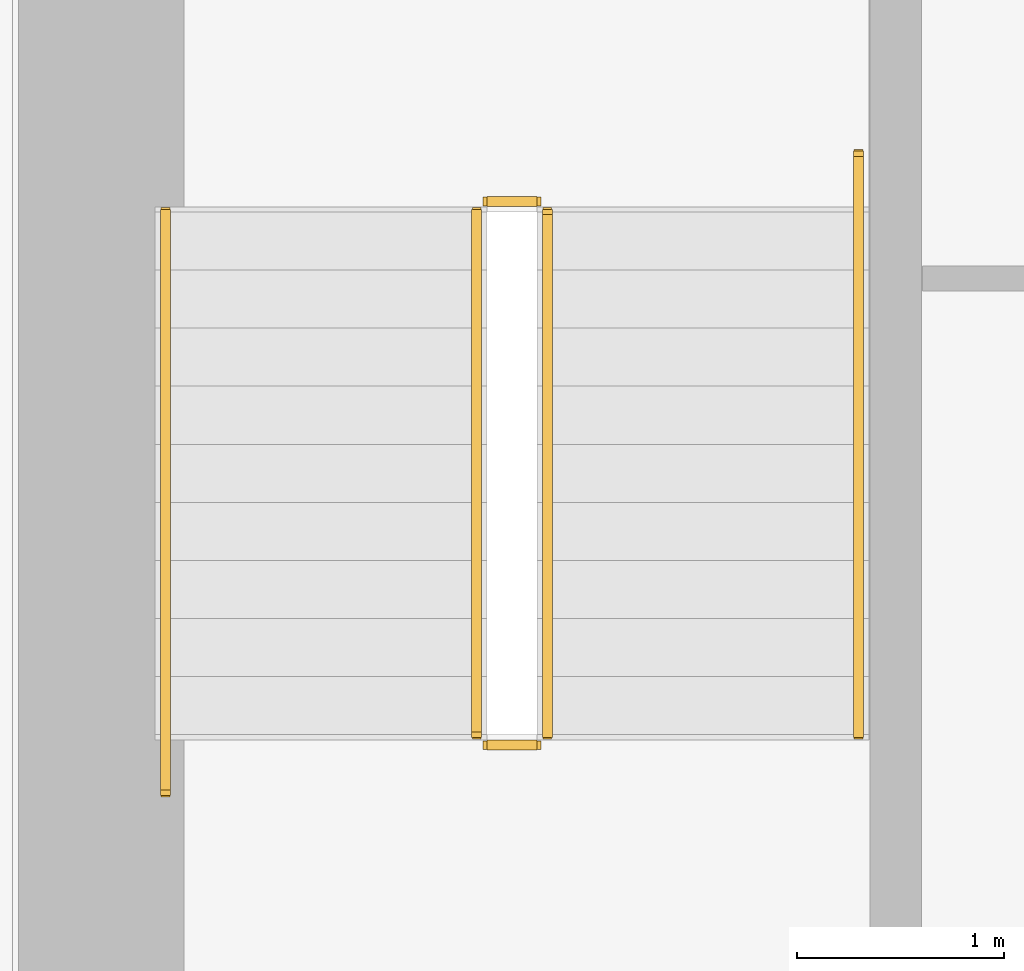
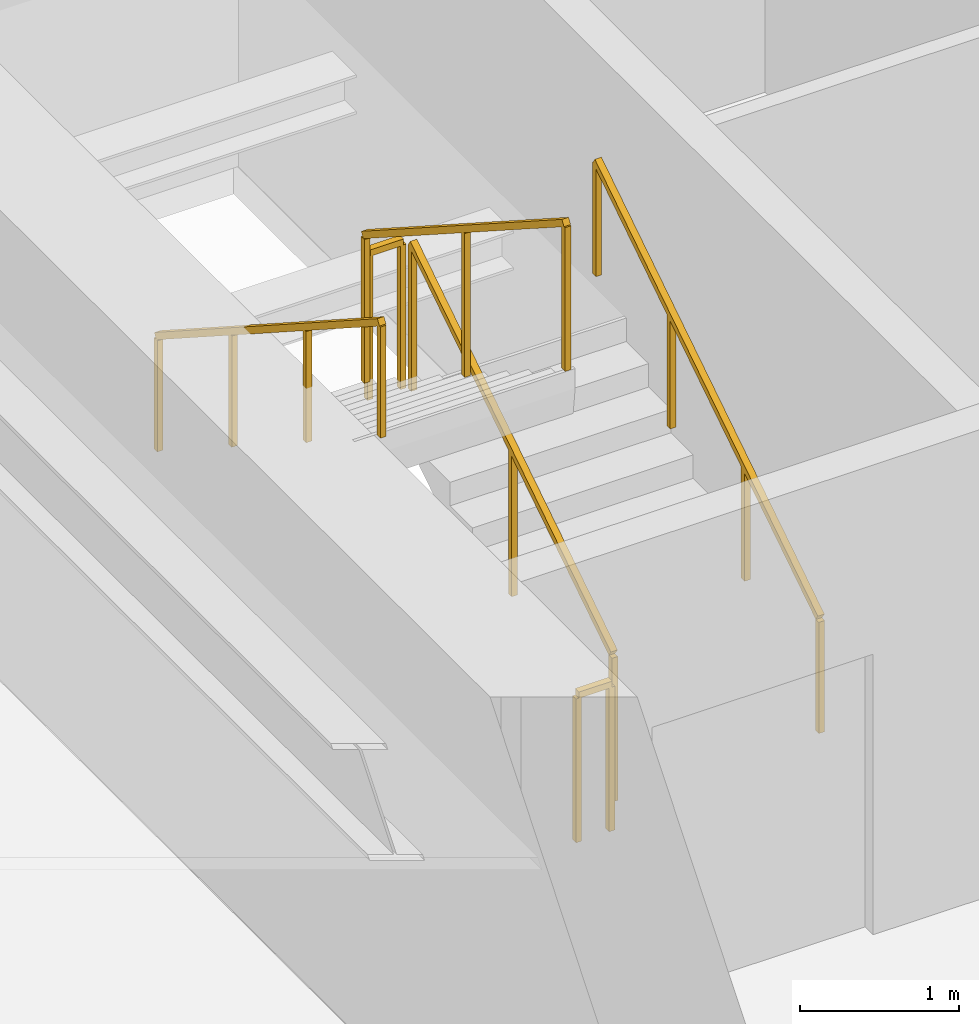
# One storey, part 30 of 33: 6 railings.
"""IFC4 building model written with IfcOpenShell, lengths in metres."""

from ifc_helpers import new_model, si_unit, direction, frame, origin, origin_2d, place, context, subcontext, project, spatial, rectangle, extrude, material, type_object, element, save


model = new_model("IFC4")

# Units and contexts
model_context = context("Model", 3, precision=1e-05, world=origin(), true_north=direction((0.0, 1.0)))
body_context = subcontext(model_context, "Body", "Model", "MODEL_VIEW")
ifc_project = project(units=[si_unit("LENGTHUNIT", "METRE"), si_unit("AREAUNIT", "SQUARE_METRE"), si_unit("VOLUMEUNIT", "CUBIC_METRE"), si_unit("PLANEANGLEUNIT", "RADIAN"), si_unit("MASSUNIT", "GRAM", prefix="KILO")], contexts=[model_context])

# Site, building, storey
site_placement = place(None, origin())
site = spatial("IfcSite", under=ifc_project, at=site_placement, CompositionType="ELEMENT")
building_placement = place(site_placement, origin())
building = spatial("IfcBuilding", under=site, at=building_placement, Name="Sumidabori Civic Tower", CompositionType="ELEMENT")
storey_placement = place(building_placement, frame((0.0, 0.0, 59.60009765625)))
storey = spatial("IfcBuildingStorey", under=building, at=storey_placement, Name="L15", CompositionType="ELEMENT", Elevation=59.60009765625)

# Railings
ifc_material_1 = material(Name="Stainless Steel Hairline Finish", Category="steel")
railing_type_1 = type_object("IfcRailingType", Name="RL-HANDRAIL", PredefinedType="HANDRAIL", material=ifc_material_1)
railing_1_placement = place(storey_placement, frame((-11.949951171875, 16.0, 0.179931640625)))
element("IfcRailing", 1, at=railing_1_placement, inside=storey, type_object=railing_type_1, Name="L15 ST-1 stair handrail 1", PredefinedType="HANDRAIL", context=body_context, shape_type="SweptSolid", body=[
    extrude(rectangle(XDim=0.048095703125, YDim=0.048095703125, at=origin_2d()), frame((0.0, 0.0, 0.8759765625), z_axis=(0.0, 0.840675598268, 0.541539046124), x_axis=(-1.0, 0.0, 0.0)), (0.0, 0.0, 1.0), 3.330810546875),
    extrude(rectangle(XDim=0.0419921875, YDim=0.0419921875, at=origin_2d()), origin(), (0.0, 0.0, 1.0), 0.851806640625),
    extrude(rectangle(XDim=0.0419921875, YDim=0.0419921875, at=origin_2d()), frame((0.0, 0.933349609375, 0.601318359375)), (0.0, 0.0, 1.0), 0.851806640625),
    extrude(rectangle(XDim=0.0419921875, YDim=0.0419921875, at=origin_2d()), frame((0.0, 1.86669921875, 1.202392578125)), (0.0, 0.0, 1.0), 0.851806640625),
    extrude(rectangle(XDim=0.0419921875, YDim=0.0419921875, at=origin_2d()), frame((0.0, 2.800048828125, 1.8037109375)), (0.0, 0.0, 1.0), 0.851806640625),
])
railing_2_placement = place(storey_placement, frame((-15.2900390625, 18.52001953125, 1.97998046875)))
element("IfcRailing", 2, at=railing_2_placement, inside=storey, type_object=railing_type_1, Name="L15 ST-1 stair handrail 2", PredefinedType="HANDRAIL", context=body_context, shape_type="SweptSolid", body=[
    extrude(rectangle(XDim=0.048095703125, YDim=0.048095703125, at=origin_2d()), frame((0.0, 0.0, 0.8759765625), z_axis=(0.0, -0.840675598268, 0.541539046124), x_axis=(1.0, 0.0, 0.0)), (0.0, 0.0, 1.0), 3.330810546875),
    extrude(rectangle(XDim=0.0419921875, YDim=0.0419921875, at=origin_2d()), origin(), (0.0, 0.0, 1.0), 0.851806640625),
    extrude(rectangle(XDim=0.0419921875, YDim=0.0419921875, at=origin_2d()), frame((0.0, -0.933349609375, 0.601318359375)), (0.0, 0.0, 1.0), 0.851806640625),
    extrude(rectangle(XDim=0.0419921875, YDim=0.0419921875, at=origin_2d()), frame((0.0, -1.86669921875, 1.202392578125)), (0.0, 0.0, 1.0), 0.851806640625),
    extrude(rectangle(XDim=0.0419921875, YDim=0.0419921875, at=origin_2d()), frame((0.0, -2.800048828125, 1.8037109375)), (0.0, 0.0, 1.0), 0.851806640625),
])
ifc_material_2 = material(Name="Steel SN490", Category="steel")
railing_type_2 = type_object("IfcRailingType", Name="RL-STAIR-GUARD", PredefinedType="GUARDRAIL", material=ifc_material_2)
railing_3_placement = place(storey_placement, frame((-13.449951171875, 16.0, 0.179931640625)))
element("IfcRailing", 3, at=railing_3_placement, inside=storey, type_object=railing_type_2, Name="L15 ST-1 stair guard 1", PredefinedType="GUARDRAIL", context=body_context, shape_type="SweptSolid", body=[
    extrude(rectangle(XDim=0.048095703125, YDim=0.048095703125, at=origin_2d()), frame((0.0, 0.0, 1.1259765625), z_axis=(0.0, 0.841199657755, 0.540724639528), x_axis=(-1.0, 0.0, 0.0)), (0.0, 0.0, 1.0), 2.995849609375),
    extrude(rectangle(XDim=0.0419921875, YDim=0.0419921875, at=origin_2d()), origin(), (0.0, 0.0, 1.0), 1.101806640625),
    extrude(rectangle(XDim=0.0419921875, YDim=0.0419921875, at=origin_2d()), frame((0.0, 1.260009765625, 0.81005859375)), (0.0, 0.0, 1.0), 1.101806640625),
    extrude(rectangle(XDim=0.0419921875, YDim=0.0419921875, at=origin_2d()), frame((0.0, 2.52001953125, 1.619873046875)), (0.0, 0.0, 1.0), 1.101806640625),
])
railing_4_placement = place(storey_placement, frame((-13.5, 18.570068359375, 1.7998046875)))
element("IfcRailing", 4, at=railing_4_placement, inside=storey, type_object=railing_type_2, Name="L15 ST-1 stair guard 2", PredefinedType="GUARDRAIL", context=body_context, shape_type="SweptSolid", body=[
    extrude(rectangle(XDim=0.048095703125, YDim=0.048095703125, at=origin_2d()), frame((0.0, 0.0, 1.1259765625), z_axis=(-1.0, 0.0, 0.0), x_axis=(0.0, -1.0, 0.0)), (0.0, 0.0, 1.0), 0.239990234375),
    extrude(rectangle(XDim=0.0419921875, YDim=0.0419921875, at=origin_2d()), origin(), (0.0, 0.0, 1.0), 1.101806640625),
    extrude(rectangle(XDim=0.0419921875, YDim=0.0419921875, at=origin_2d()), frame((-0.239990234375, 0.0, 0.0)), (0.0, 0.0, 1.0), 1.101806640625),
])
railing_5_placement = place(storey_placement, frame((-13.7900390625, 18.52001953125, 1.97998046875)))
element("IfcRailing", 5, at=railing_5_placement, inside=storey, type_object=railing_type_2, Name="L15 ST-1 stair guard 3", PredefinedType="GUARDRAIL", context=body_context, shape_type="SweptSolid", body=[
    extrude(rectangle(XDim=0.048095703125, YDim=0.048095703125, at=origin_2d()), frame((0.0, 0.0, 1.1259765625), z_axis=(0.0, -0.841199657755, 0.540724639528), x_axis=(1.0, 0.0, 0.0)), (0.0, 0.0, 1.0), 2.995849609375),
    extrude(rectangle(XDim=0.0419921875, YDim=0.0419921875, at=origin_2d()), origin(), (0.0, 0.0, 1.0), 1.101806640625),
    extrude(rectangle(XDim=0.0419921875, YDim=0.0419921875, at=origin_2d()), frame((0.0, -1.260009765625, 0.81005859375)), (0.0, 0.0, 1.0), 1.101806640625),
    extrude(rectangle(XDim=0.0419921875, YDim=0.0419921875, at=origin_2d()), frame((0.0, -2.52001953125, 1.619873046875)), (0.0, 0.0, 1.0), 1.101806640625),
])
railing_6_placement = place(storey_placement, frame((-13.5, 15.949951171875, 0.0)))
element("IfcRailing", 6, at=railing_6_placement, inside=storey, type_object=railing_type_2, Name="L15 ST-1 stair guard 4", PredefinedType="GUARDRAIL", context=body_context, shape_type="SweptSolid", body=[
    extrude(rectangle(XDim=0.048095703125, YDim=0.048095703125, at=origin_2d()), frame((0.0, 0.0, 1.1259765625), z_axis=(-1.0, 0.0, 0.0), x_axis=(0.0, -1.0, 0.0)), (0.0, 0.0, 1.0), 0.239990234375),
    extrude(rectangle(XDim=0.0419921875, YDim=0.0419921875, at=origin_2d()), origin(), (0.0, 0.0, 1.0), 1.101806640625),
    extrude(rectangle(XDim=0.0419921875, YDim=0.0419921875, at=origin_2d()), frame((-0.239990234375, 0.0, 0.0)), (0.0, 0.0, 1.0), 1.101806640625),
])

save(model, "model.ifc")
